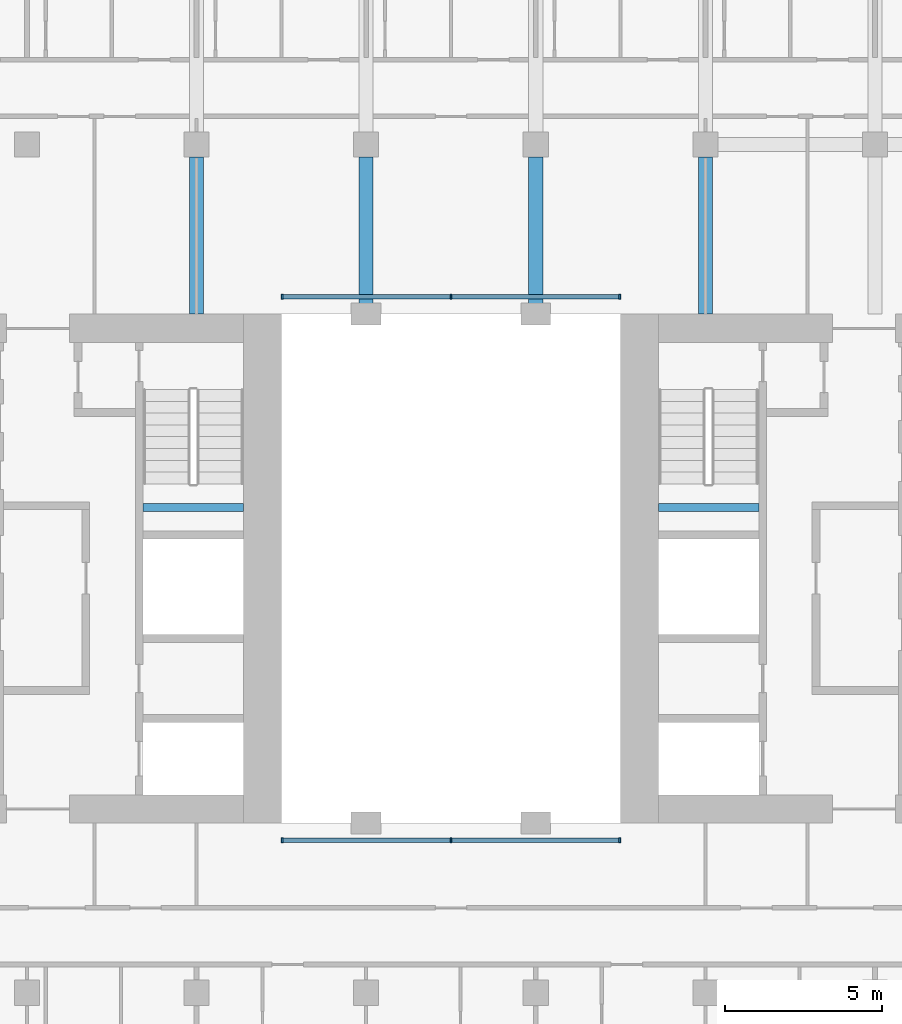
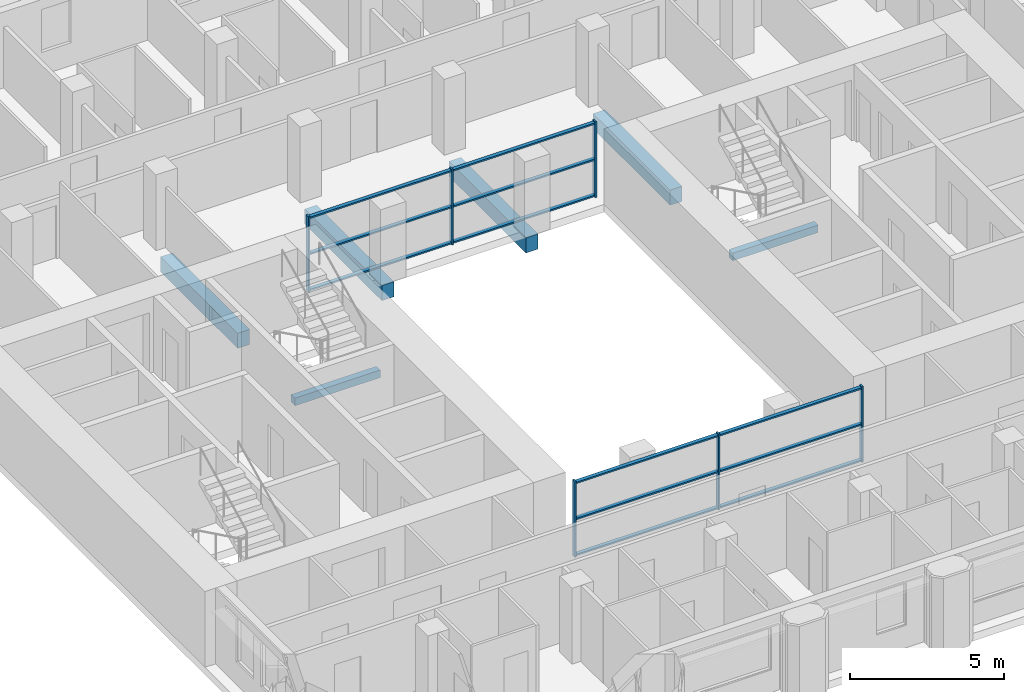
# One storey, part 2 of 12: 18 members, 6 beams, 2 elements without a shape of their own.
"""IFC4 building model written with IfcOpenShell, lengths in metres."""

from ifc_helpers import new_model, si_unit, direction, frame, origin, origin_2d, place, context, subcontext, project, spatial, rectangle, extrude, material, material_profile, profile_set, type_object, element, aggregate, save


model = new_model("IFC4")

# Units and contexts
model_context = context("Model", 3, precision=1e-05, world=origin(), true_north=direction((0.0, 1.0)))
body_context = subcontext(model_context, "Body", "Model", "MODEL_VIEW")
ifc_project = project(units=[si_unit("LENGTHUNIT", "METRE"), si_unit("AREAUNIT", "SQUARE_METRE"), si_unit("VOLUMEUNIT", "CUBIC_METRE"), si_unit("PLANEANGLEUNIT", "RADIAN"), si_unit("MASSUNIT", "GRAM", prefix="KILO")], contexts=[model_context])

# Site, building, storey
site_placement = place(None, origin())
site = spatial("IfcSite", under=ifc_project, at=site_placement, CompositionType="ELEMENT")
building_placement = place(site_placement, origin())
building = spatial("IfcBuilding", under=site, at=building_placement, Name="Tabaq Tower and Sports Hall", CompositionType="ELEMENT")
storey_placement = place(building_placement, frame((0.0, 0.0, 184.0)))
storey = spatial("IfcBuildingStorey", under=building, at=storey_placement, Name="L44", CompositionType="ELEMENT", Elevation=184.0)

# Curtain wall, members
ifc_material_1 = material(Name="Aluminium alloy 6063-T6 framed glazing", Category="aluminium")
curtain_wall_type = type_object("IfcCurtainWallType", Name="CW1 curtain wall", PredefinedType="USERDEFINED", material=ifc_material_1)
curtain_wall_1_placement = place(storey_placement, origin())
curtain_wall_1 = element("IfcCurtainWall", 1, at=curtain_wall_1_placement, inside=storey, type_object=curtain_wall_type, Name="Atrium glazing L44 S", ObjectType="ATRIUM ENCLOSURE", PredefinedType="USERDEFINED")
ifc_material_2 = material(Name="Aluminium alloy 6063-T6", Category="aluminium")
ifc_material_profile_1 = material_profile(ifc_material_2, rectangle(XDim=0.159912109375, YDim=0.06005859375, at=origin_2d()), Name="MULLION 160x60")
ifc_profile_set_1 = profile_set([ifc_material_profile_1], Name="Aluminium alloy 6063-T6")
member_type_1 = type_object("IfcMemberType", Name="CW1 mullion 160x60", PredefinedType="MULLION", material=ifc_profile_set_1)
member_1_placement = place(storey_placement, frame((18.929931640625, 15.64990234375, 0.0), z_axis=(0.0, 0.0, 1.0), x_axis=(0.0, 1.0, 0.0)))
member_1 = element("IfcMember", 2, at=member_1_placement, type_object=member_type_1, Name="CW1 mullion 1", PredefinedType="MULLION", context=body_context, shape_type="SweptSolid", body=[
    extrude(rectangle(XDim=0.159912109375, YDim=0.06005859375, at=origin_2d()), origin(), (0.0, 0.0, 1.0), 3.0),
])
member_2_placement = place(storey_placement, frame((24.300048828125, 15.64990234375, 0.0), z_axis=(0.0, 0.0, 1.0), x_axis=(0.0, 1.0, 0.0)))
member_2 = element("IfcMember", 3, at=member_2_placement, type_object=member_type_1, Name="CW1 mullion 2", PredefinedType="MULLION", context=body_context, shape_type="SweptSolid", body=[
    extrude(rectangle(XDim=0.159912109375, YDim=0.06005859375, at=origin_2d()), origin(), (0.0, 0.0, 1.0), 3.0),
])
member_3_placement = place(storey_placement, frame((29.669921875, 15.64990234375, 0.0), z_axis=(0.0, 0.0, 1.0), x_axis=(0.0, 1.0, 0.0)))
member_3 = element("IfcMember", 4, at=member_3_placement, type_object=member_type_1, Name="CW1 mullion 3", PredefinedType="MULLION", context=body_context, shape_type="SweptSolid", body=[
    extrude(rectangle(XDim=0.159912109375, YDim=0.06005859375, at=origin_2d()), origin(), (0.0, 0.0, 1.0), 3.0),
])

curtain_wall_2_placement = place(storey_placement, origin())
curtain_wall_2 = element("IfcCurtainWall", 5, at=curtain_wall_2_placement, inside=storey, type_object=curtain_wall_type, Name="Atrium glazing L44 N", ObjectType="ATRIUM ENCLOSURE", PredefinedType="USERDEFINED")
member_4_placement = place(storey_placement, frame((18.929931640625, 32.949951171875, 0.0), z_axis=(0.0, 0.0, 1.0), x_axis=(0.0, 1.0, 0.0)))
member_4 = element("IfcMember", 6, at=member_4_placement, type_object=member_type_1, Name="CW1 mullion 1", PredefinedType="MULLION", context=body_context, shape_type="SweptSolid", body=[
    extrude(rectangle(XDim=0.159912109375, YDim=0.06005859375, at=origin_2d()), origin(), (0.0, 0.0, 1.0), 3.0),
])
member_5_placement = place(storey_placement, frame((24.300048828125, 32.949951171875, 0.0), z_axis=(0.0, 0.0, 1.0), x_axis=(0.0, 1.0, 0.0)))
member_5 = element("IfcMember", 7, at=member_5_placement, type_object=member_type_1, Name="CW1 mullion 2", PredefinedType="MULLION", context=body_context, shape_type="SweptSolid", body=[
    extrude(rectangle(XDim=0.159912109375, YDim=0.06005859375, at=origin_2d()), origin(), (0.0, 0.0, 1.0), 3.0),
])
member_6_placement = place(storey_placement, frame((29.669921875, 32.949951171875, 0.0), z_axis=(0.0, 0.0, 1.0), x_axis=(0.0, 1.0, 0.0)))
member_6 = element("IfcMember", 8, at=member_6_placement, type_object=member_type_1, Name="CW1 mullion 3", PredefinedType="MULLION", context=body_context, shape_type="SweptSolid", body=[
    extrude(rectangle(XDim=0.159912109375, YDim=0.06005859375, at=origin_2d()), origin(), (0.0, 0.0, 1.0), 3.0),
])

# Member
ifc_material_3 = material(Name="Aluminium alloy 6063-T6", Category="aluminium")
ifc_material_profile_2 = material_profile(ifc_material_3, rectangle(XDim=0.139892578125, YDim=0.06005859375, at=origin_2d()), Name="TRANSOM 140x60")
ifc_profile_set_2 = profile_set([ifc_material_profile_2], Name="Aluminium alloy 6063-T6")
member_type_2 = type_object("IfcMemberType", Name="CW1 transom 140x60", PredefinedType="USERDEFINED", material=ifc_profile_set_2)
member_7_placement = place(storey_placement, frame((18.9599609375, 15.64990234375, 0.070068359375), z_axis=(1.0, 0.0, 0.0), x_axis=(0.0, 1.0, 0.0)))
member_7 = element("IfcMember", 9, at=member_7_placement, type_object=member_type_2, Name="CW1 transom 1.1", ObjectType="TRANSOM", PredefinedType="USERDEFINED", context=body_context, shape_type="SweptSolid", body=[
    extrude(rectangle(XDim=0.139892578125, YDim=0.06005859375, at=origin_2d()), origin(), (0.0, 0.0, 1.0), 5.31005859375),
])

member_8_placement = place(storey_placement, frame((18.9599609375, 15.64990234375, 1.5), z_axis=(1.0, 0.0, 0.0), x_axis=(0.0, 1.0, 0.0)))
member_8 = element("IfcMember", 10, at=member_8_placement, type_object=member_type_2, Name="CW1 transom 1.2", ObjectType="TRANSOM", PredefinedType="USERDEFINED", context=body_context, shape_type="SweptSolid", body=[
    extrude(rectangle(XDim=0.139892578125, YDim=0.06005859375, at=origin_2d()), origin(), (0.0, 0.0, 1.0), 5.31005859375),
])

member_9_placement = place(storey_placement, frame((18.9599609375, 15.64990234375, 2.929931640625), z_axis=(1.0, 0.0, 0.0), x_axis=(0.0, 1.0, 0.0)))
member_9 = element("IfcMember", 11, at=member_9_placement, type_object=member_type_2, Name="CW1 transom 1.3", ObjectType="TRANSOM", PredefinedType="USERDEFINED", context=body_context, shape_type="SweptSolid", body=[
    extrude(rectangle(XDim=0.139892578125, YDim=0.06005859375, at=origin_2d()), origin(), (0.0, 0.0, 1.0), 5.31005859375),
])

member_10_placement = place(storey_placement, frame((24.330078125, 15.64990234375, 0.070068359375), z_axis=(1.0, 0.0, 0.0), x_axis=(0.0, 1.0, 0.0)))
member_10 = element("IfcMember", 12, at=member_10_placement, type_object=member_type_2, Name="CW1 transom 2.1", ObjectType="TRANSOM", PredefinedType="USERDEFINED", context=body_context, shape_type="SweptSolid", body=[
    extrude(rectangle(XDim=0.139892578125, YDim=0.06005859375, at=origin_2d()), origin(), (0.0, 0.0, 1.0), 5.309814453125),
])

member_11_placement = place(storey_placement, frame((24.330078125, 15.64990234375, 1.5), z_axis=(1.0, 0.0, 0.0), x_axis=(0.0, 1.0, 0.0)))
member_11 = element("IfcMember", 13, at=member_11_placement, type_object=member_type_2, Name="CW1 transom 2.2", ObjectType="TRANSOM", PredefinedType="USERDEFINED", context=body_context, shape_type="SweptSolid", body=[
    extrude(rectangle(XDim=0.139892578125, YDim=0.06005859375, at=origin_2d()), origin(), (0.0, 0.0, 1.0), 5.309814453125),
])

member_12_placement = place(storey_placement, frame((24.330078125, 15.64990234375, 2.929931640625), z_axis=(1.0, 0.0, 0.0), x_axis=(0.0, 1.0, 0.0)))
member_12 = element("IfcMember", 14, at=member_12_placement, type_object=member_type_2, Name="CW1 transom 2.3", ObjectType="TRANSOM", PredefinedType="USERDEFINED", context=body_context, shape_type="SweptSolid", body=[
    extrude(rectangle(XDim=0.139892578125, YDim=0.06005859375, at=origin_2d()), origin(), (0.0, 0.0, 1.0), 5.309814453125),
])

aggregate(curtain_wall_1, [member_1, member_2, member_3, member_7, member_8, member_9, member_10, member_11, member_12])

member_13_placement = place(storey_placement, frame((18.9599609375, 32.949951171875, 0.070068359375), z_axis=(1.0, 0.0, 0.0), x_axis=(0.0, 1.0, 0.0)))
member_13 = element("IfcMember", 15, at=member_13_placement, type_object=member_type_2, Name="CW1 transom 1.1", ObjectType="TRANSOM", PredefinedType="USERDEFINED", context=body_context, shape_type="SweptSolid", body=[
    extrude(rectangle(XDim=0.139892578125, YDim=0.06005859375, at=origin_2d()), origin(), (0.0, 0.0, 1.0), 5.31005859375),
])

member_14_placement = place(storey_placement, frame((18.9599609375, 32.949951171875, 1.5), z_axis=(1.0, 0.0, 0.0), x_axis=(0.0, 1.0, 0.0)))
member_14 = element("IfcMember", 16, at=member_14_placement, type_object=member_type_2, Name="CW1 transom 1.2", ObjectType="TRANSOM", PredefinedType="USERDEFINED", context=body_context, shape_type="SweptSolid", body=[
    extrude(rectangle(XDim=0.139892578125, YDim=0.06005859375, at=origin_2d()), origin(), (0.0, 0.0, 1.0), 5.31005859375),
])

member_15_placement = place(storey_placement, frame((18.9599609375, 32.949951171875, 2.929931640625), z_axis=(1.0, 0.0, 0.0), x_axis=(0.0, 1.0, 0.0)))
member_15 = element("IfcMember", 17, at=member_15_placement, type_object=member_type_2, Name="CW1 transom 1.3", ObjectType="TRANSOM", PredefinedType="USERDEFINED", context=body_context, shape_type="SweptSolid", body=[
    extrude(rectangle(XDim=0.139892578125, YDim=0.06005859375, at=origin_2d()), origin(), (0.0, 0.0, 1.0), 5.31005859375),
])

member_16_placement = place(storey_placement, frame((24.330078125, 32.949951171875, 0.070068359375), z_axis=(1.0, 0.0, 0.0), x_axis=(0.0, 1.0, 0.0)))
member_16 = element("IfcMember", 18, at=member_16_placement, type_object=member_type_2, Name="CW1 transom 2.1", ObjectType="TRANSOM", PredefinedType="USERDEFINED", context=body_context, shape_type="SweptSolid", body=[
    extrude(rectangle(XDim=0.139892578125, YDim=0.06005859375, at=origin_2d()), origin(), (0.0, 0.0, 1.0), 5.309814453125),
])

member_17_placement = place(storey_placement, frame((24.330078125, 32.949951171875, 1.5), z_axis=(1.0, 0.0, 0.0), x_axis=(0.0, 1.0, 0.0)))
member_17 = element("IfcMember", 19, at=member_17_placement, type_object=member_type_2, Name="CW1 transom 2.2", ObjectType="TRANSOM", PredefinedType="USERDEFINED", context=body_context, shape_type="SweptSolid", body=[
    extrude(rectangle(XDim=0.139892578125, YDim=0.06005859375, at=origin_2d()), origin(), (0.0, 0.0, 1.0), 5.309814453125),
])

member_18_placement = place(storey_placement, frame((24.330078125, 32.949951171875, 2.929931640625), z_axis=(1.0, 0.0, 0.0), x_axis=(0.0, 1.0, 0.0)))
member_18 = element("IfcMember", 20, at=member_18_placement, type_object=member_type_2, Name="CW1 transom 2.3", ObjectType="TRANSOM", PredefinedType="USERDEFINED", context=body_context, shape_type="SweptSolid", body=[
    extrude(rectangle(XDim=0.139892578125, YDim=0.06005859375, at=origin_2d()), origin(), (0.0, 0.0, 1.0), 5.309814453125),
])

aggregate(curtain_wall_2, [member_4, member_5, member_6, member_13, member_14, member_15, member_16, member_17, member_18])

# Beams
ifc_material_4 = material(Name="Concrete C40/50", Category="concrete")
ifc_material_profile_3 = material_profile(ifc_material_4, rectangle(XDim=0.449951171875, YDim=0.60009765625, at=origin_2d()), Name="CB 450x600")
ifc_profile_set_3 = profile_set([ifc_material_profile_3], Name="Concrete C40/50")
beam_type_1 = type_object("IfcBeamType", Name="PT CANTILEVER BEAM CB 450x600 C40/50", PredefinedType="BEAM", material=ifc_profile_set_3)
for number, where, z_axis, x_axis, name in (
    (21, (16.199951171875, 37.39990234375, -0.60009765625), (0.0, -1.0, 0.0), (1.0, 0.0, 0.0), "Cantilever Beam L44 N3 span 3"),
    (22, (21.60009765625, 37.39990234375, -0.60009765625), (0.0, -1.0, 0.0), (1.0, 0.0, 0.0), "Cantilever Beam L44 N4 span 3"),
    (23, (27.0, 37.39990234375, -0.60009765625), (0.0, -1.0, 0.0), (1.0, 0.0, 0.0), "Cantilever Beam L44 N5 span 3"),
    (24, (32.39990234375, 37.39990234375, -0.60009765625), (0.0, -1.0, 0.0), (1.0, 0.0, 0.0), "Cantilever Beam L44 N6 span 3"),
):
    element("IfcBeam", number, at=place(storey_placement, frame(where, z_axis=z_axis, x_axis=x_axis)), inside=storey, type_object=beam_type_1, Name=name, PredefinedType="BEAM", context=body_context, shape_type="SweptSolid", body=[
        extrude(rectangle(XDim=0.449951171875, YDim=0.60009765625, at=origin_2d()), origin(), (0.0, 0.0, 1.0), 5.0),
    ])
ifc_material_5 = material(Name="Concrete C40/50", Category="concrete")
ifc_material_profile_4 = material_profile(ifc_material_5, rectangle(XDim=0.25, YDim=0.300048828125, at=origin_2d()), Name="RC 250x300")
ifc_profile_set_4 = profile_set([ifc_material_profile_4], Name="Concrete C40/50")
beam_type_2 = type_object("IfcBeamType", Name="Stair landing beam 250x300", PredefinedType="BEAM", material=ifc_profile_set_4)
beam_1_placement = place(storey_placement, frame((14.5, 26.25, 1.300048828125), z_axis=(1.0, 0.0, 0.0), x_axis=(0.0, 1.0, 0.0)))
element("IfcBeam", 25, at=beam_1_placement, inside=storey, type_object=beam_type_2, Name="L44 ST2 landing beam 1", PredefinedType="BEAM", context=body_context, shape_type="SweptSolid", body=[
    extrude(rectangle(XDim=0.25, YDim=0.300048828125, at=origin_2d()), origin(), (0.0, 0.0, 1.0), 3.199951171875),
])
beam_2_placement = place(storey_placement, frame((30.89990234375, 26.25, 1.300048828125), z_axis=(1.0, 0.0, 0.0), x_axis=(0.0, 1.0, 0.0)))
element("IfcBeam", 26, at=beam_2_placement, inside=storey, type_object=beam_type_2, Name="L44 ST4 landing beam 1", PredefinedType="BEAM", context=body_context, shape_type="SweptSolid", body=[
    extrude(rectangle(XDim=0.25, YDim=0.300048828125, at=origin_2d()), origin(), (0.0, 0.0, 1.0), 3.2001953125),
])

save(model, "model.ifc")
